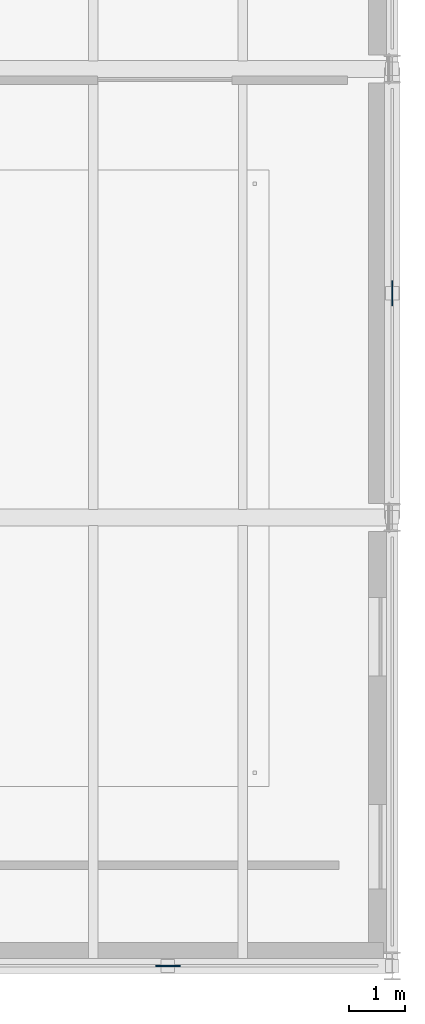
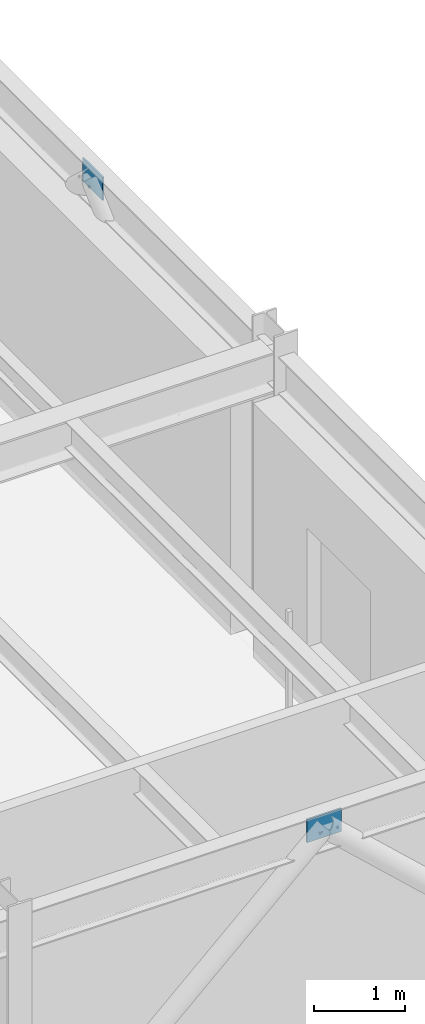
# One storey, part 79 of 122: 2 plates.
"""IFC4 building model written with IfcOpenShell, lengths in metres."""

from ifc_helpers import new_model, si_unit, direction, frame, origin, origin_2d, place, context, subcontext, project, spatial, rectangle, extrude, material, layer, layer_set, type_object, element, save


model = new_model("IFC4")

# Units and contexts
model_context = context("Model", 3, precision=1e-05, world=origin(), true_north=direction((0.0, 1.0)))
body_context = subcontext(model_context, "Body", "Model", "MODEL_VIEW")
ifc_project = project(units=[si_unit("LENGTHUNIT", "METRE"), si_unit("AREAUNIT", "SQUARE_METRE"), si_unit("VOLUMEUNIT", "CUBIC_METRE"), si_unit("PLANEANGLEUNIT", "RADIAN"), si_unit("MASSUNIT", "GRAM", prefix="KILO")], contexts=[model_context])

# Site, building, storey
site_placement = place(None, origin())
site = spatial("IfcSite", under=ifc_project, at=site_placement, CompositionType="ELEMENT")
building_placement = place(site_placement, origin())
building = spatial("IfcBuilding", under=site, at=building_placement, Name="Sundkrona Museum", CompositionType="ELEMENT")
storey_placement = place(building_placement, frame((0.0, 0.0, 5.39990234375)))
storey = spatial("IfcBuildingStorey", under=building, at=storey_placement, Name="L01", CompositionType="ELEMENT", Elevation=5.39990234375)

# Plates
ifc_material = material(Name="Steel S355J2", Category="steel")
ifc_layer = layer(ifc_material, 0.02197265625)
ifc_layer_set = layer_set([ifc_layer], Name="Steel S355J2")
plate_type = type_object("IfcPlateType", Name="GP-5", PredefinedType="USERDEFINED", material=ifc_layer_set)
for number, where, z_axis, x_axis, name in (
    (1, (164.0, 0.0, 3.545166015625), (0.0, 0.0, 1.0), (1.0, 0.0, 0.0), "L01 Chevron Apex Gusset Plate 003"),
    (2, (168.0, 12.0, 3.545166015625), (0.0, 0.0, 1.0), (0.0, 1.0, 0.0), "L01 Chevron Apex Gusset Plate 009"),
):
    element("IfcPlate", number, at=place(storey_placement, frame(where, z_axis=z_axis, x_axis=x_axis)), inside=storey, type_object=plate_type, Name=name, ObjectType="GUSSET PLATE", PredefinedType="USERDEFINED", context=body_context, shape_type="SweptSolid", body=[
        extrude(rectangle(XDim=0.43994140625, YDim=0.02197265625, at=origin_2d()), origin(), (0.0, 0.0, 1.0), 0.31005859375),
    ])

save(model, "model.ifc")
